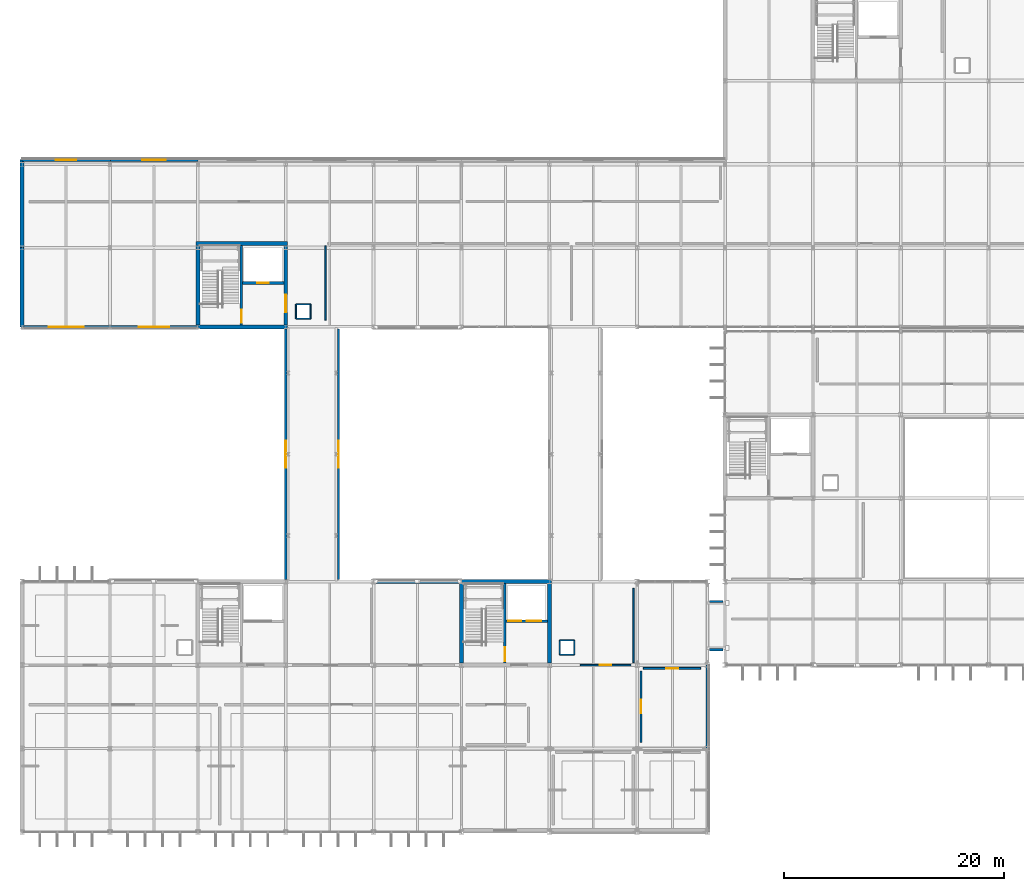
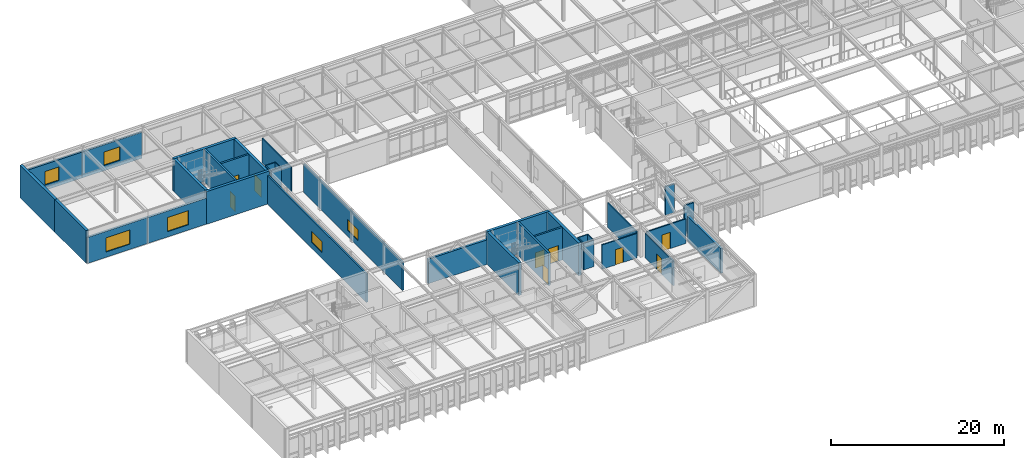
# One storey, part 81 of 104: 36 walls, 9 doors, 6 windows, 15 openings.
"""IFC4 building model written with IfcOpenShell, lengths in metres."""

from ifc_helpers import new_model, si_unit, direction, frame, frame_2d, origin, place, context, subcontext, project, spatial, rectangle, extrude, material, layer, layer_set, type_object, element, fill, save


model = new_model("IFC4")

# Units and contexts
model_context = context("Model", 3, precision=1e-05, world=origin(), true_north=direction((0.0, 1.0)))
body_context = subcontext(model_context, "Body", "Model", "MODEL_VIEW")
ifc_project = project(units=[si_unit("LENGTHUNIT", "METRE"), si_unit("AREAUNIT", "SQUARE_METRE"), si_unit("VOLUMEUNIT", "CUBIC_METRE"), si_unit("PLANEANGLEUNIT", "RADIAN"), si_unit("MASSUNIT", "GRAM", prefix="KILO")], contexts=[model_context])

# Site, building, storey
site_placement = place(None, origin())
site = spatial("IfcSite", under=ifc_project, at=site_placement, CompositionType="ELEMENT")
building_placement = place(site_placement, origin())
building = spatial("IfcBuilding", under=site, at=building_placement, Name="Zulena Civic Courthouse", CompositionType="ELEMENT")
storey_placement = place(building_placement, frame((0.0, 0.0, 15.60009765625)))
storey = spatial("IfcBuildingStorey", under=building, at=storey_placement, Name="L03", CompositionType="ELEMENT", Elevation=15.60009765625)

# Walls
ifc_material_1 = material(Name="Travertine-cream architectural precast concrete C40/50", Category="masonry")
ifc_layer_1 = layer(ifc_material_1, 0.205078125)
ifc_layer_set_1 = layer_set([ifc_layer_1], Name="Travertine-cream architectural precast concrete C40/50")
wall_type_1 = type_object("IfcWallType", Name="BridgeWall_GlazedScreen_205", PredefinedType="STANDARD", material=ifc_layer_set_1)
for number, where, z_axis, x_axis, name in (
    (1, (67.820068359375, 16.60009765625, 0.0), (0.0, 0.0, 1.0), (-1.0, 0.0, 0.0), "ewall:bridge:BR-24:L03:S"),
    (2, (66.580078125, 21.0, 0.0), (0.0, 0.0, 1.0), (1.0, 0.0, 0.0), "ewall:bridge:BR-24:L03:N"),
):
    element("IfcWall", number, at=place(storey_placement, frame(where, z_axis=z_axis, x_axis=x_axis)), inside=storey, type_object=wall_type_1, Name=name, PredefinedType="STANDARD", context=body_context, shape_type="SweptSolid", body=[
        extrude(rectangle(XDim=1.239990234375, YDim=0.205078125, at=frame_2d((0.6201171875, 0.0))), origin(), (0.0, 0.0, 1.0), 4.02001953125),
    ])

# Wall, opening, window
wall_1_placement = place(storey_placement, frame((28.0, 22.97998046875, 0.0), z_axis=(0.0, 0.0, 1.0), x_axis=(0.0, 1.0, 0.0)))
wall_1 = element("IfcWall", 3, at=wall_1_placement, inside=storey, type_object=wall_type_1, Name="ewall:bridge:BR-52J:L03:W", PredefinedType="STANDARD", context=body_context, shape_type="SweptSolid", body=[
    extrude(rectangle(XDim=22.840087890625, YDim=0.205078125, at=frame_2d((11.419921875, 0.0))), origin(), (0.0, 0.0, 1.0), 4.02001953125),
])
opening_1_placement = place(wall_1_placement, frame((10.195068359375, 0.0, 0.85009765625)))
opening_1 = element("IfcOpeningElement", 4, at=opening_1_placement, cuts=wall_1, Name="Opening WN27", PredefinedType="OPENING", context=body_context, shape_type="SweptSolid", body=[
    extrude(rectangle(XDim=2.449951171875, YDim=1.550048828125, at=frame_2d((1.22509765625, 0.77490234375))), frame((0.0, 0.112548828125, 0.0), z_axis=(0.0, -1.0, 0.0), x_axis=(1.0, 0.0, 0.0)), (0.0, 0.0, 1.0), 0.22509765625),
])
ifc_material_2 = material(Name="Double-silver low-E laminated solar-control glass", Category="glass")
window_type_1 = type_object("IfcWindowType", Name="Win_2450x1550", PartitioningType="DOUBLE_PANEL_VERTICAL", PredefinedType="WINDOW", material=ifc_material_2)
window_1_placement = place(opening_1_placement, origin())
window_1 = element("IfcWindow", 5, at=window_1_placement, inside=storey, type_object=window_type_1, Name="win:bridge:BR-52J:L03:W", OverallHeight=1.550048828125, OverallWidth=2.449951171875, PartitioningType="SINGLE_PANEL", PredefinedType="WINDOW", context=body_context, shape_type="SweptSolid", body=[
    extrude(rectangle(XDim=2.449951171875, YDim=1.550048828125, at=frame_2d((1.22509765625, 0.77490234375))), frame((0.0, 0.030029296875, 0.0), z_axis=(0.0, -1.0, 0.0), x_axis=(1.0, 0.0, 0.0)), (0.0, 0.0, 1.0), 0.06005859375),
])
fill(opening_1, window_1)

wall_2_placement = place(storey_placement, frame((32.800048828125, 45.820068359375, 0.0), z_axis=(0.0, 0.0, 1.0), x_axis=(0.0, -1.0, 0.0)))
wall_2 = element("IfcWall", 6, at=wall_2_placement, inside=storey, type_object=wall_type_1, Name="ewall:bridge:BR-52J:L03:E", PredefinedType="STANDARD", context=body_context, shape_type="SweptSolid", body=[
    extrude(rectangle(XDim=22.840087890625, YDim=0.205078125, at=frame_2d((11.419921875, 0.0))), origin(), (0.0, 0.0, 1.0), 4.02001953125),
])
opening_2_placement = place(wall_2_placement, frame((10.195068359375, 0.0, 0.85009765625)))
opening_2 = element("IfcOpeningElement", 7, at=opening_2_placement, cuts=wall_2, Name="Opening WN27", PredefinedType="OPENING", context=body_context, shape_type="SweptSolid", body=[
    extrude(rectangle(XDim=2.449951171875, YDim=1.550048828125, at=frame_2d((1.22509765625, 0.77490234375))), frame((0.0, 0.112548828125, 0.0), z_axis=(0.0, -1.0, 0.0), x_axis=(1.0, 0.0, 0.0)), (0.0, 0.0, 1.0), 0.22509765625),
])
window_2_placement = place(opening_2_placement, origin())
window_2 = element("IfcWindow", 8, at=window_2_placement, inside=storey, type_object=window_type_1, Name="win:bridge:BR-52J:L03:E", OverallHeight=1.550048828125, OverallWidth=2.449951171875, PartitioningType="SINGLE_PANEL", PredefinedType="WINDOW", context=body_context, shape_type="SweptSolid", body=[
    extrude(rectangle(XDim=2.449951171875, YDim=1.550048828125, at=frame_2d((1.22509765625, 0.77490234375))), frame((0.0, 0.030029296875, 0.0), z_axis=(0.0, -1.0, 0.0), x_axis=(1.0, 0.0, 0.0)), (0.0, 0.0, 1.0), 0.06005859375),
])
fill(opening_2, window_2)

# Wall, opening, door
ifc_material_3 = material(Name="Concrete C40/50", Category="concrete")
ifc_layer_2 = layer(ifc_material_3, 0.25)
ifc_layer_set_2 = layer_set([ifc_layer_2], Name="Concrete C40/50")
wall_type_2 = type_object("IfcWallType", Name="CoreShearWall_RC250", PredefinedType="SHEAR", material=ifc_layer_set_2)
wall_3_placement = place(storey_placement, frame((47.949951171875, 15.375, 0.0), z_axis=(0.0, 0.0, 1.0), x_axis=(0.0, 1.0, 0.0)))
wall_3 = element("IfcWall", 9, at=wall_3_placement, inside=storey, type_object=wall_type_2, Name="cwall:K2B:L03:DIV", PredefinedType="SHEAR", context=body_context, shape_type="SweptSolid", body=[
    extrude(rectangle(XDim=7.25, YDim=0.25, at=frame_2d((3.625, 0.0))), origin(), (0.0, 0.0, 1.0), 4.58984375),
])
opening_3_placement = place(wall_3_placement, frame((0.179931640625, 0.0, 0.0)))
opening_3 = element("IfcOpeningElement", 10, at=opening_3_placement, cuts=wall_3, Name="Opening ID06", PredefinedType="OPENING", context=body_context, shape_type="SweptSolid", body=[
    extrude(rectangle(XDim=1.25, YDim=2.199951171875, at=frame_2d((0.625, 1.10009765625))), frame((0.0, 0.135009765625, 0.0), z_axis=(0.0, -1.0, 0.0), x_axis=(1.0, 0.0, 0.0)), (0.0, 0.0, 1.0), 0.27001953125),
])
ifc_material_4 = material(Name="Fire-rated galvanised steel ASTM A653 Grade 50", Category="steel")
door_type_1 = type_object("IfcDoorType", Name="IntDoor_Stair_1250x2200", OperationType="NOTDEFINED", PredefinedType="DOOR", material=ifc_material_4)
door_1_placement = place(opening_3_placement, origin())
door_1 = element("IfcDoor", 11, at=door_1_placement, inside=storey, type_object=door_type_1, Name="door:stair:K2B:L03", OperationType="SINGLE_SWING_RIGHT", OverallHeight=2.199951171875, OverallWidth=1.25, PredefinedType="DOOR", context=body_context, shape_type="SweptSolid", body=[
    extrude(rectangle(XDim=1.25, YDim=2.199951171875, at=frame_2d((0.625, 1.10009765625))), frame((0.0, 0.02490234375, 0.0), z_axis=(0.0, -1.0, 0.0), x_axis=(1.0, 0.0, 0.0)), (0.0, 0.0, 1.0), 0.050048828125),
])
fill(opening_3, door_1)

# Wall, openings, doors
wall_4_placement = place(storey_placement, frame((48.074951171875, 19.199951171875, 0.0), z_axis=(0.0, 0.0, 1.0), x_axis=(1.0, 0.0, 0.0)))
wall_4 = element("IfcWall", 12, at=wall_4_placement, inside=storey, type_object=wall_type_2, Name="cwall:K2B:L03:SHF", PredefinedType="SHEAR", context=body_context, shape_type="SweptSolid", body=[
    extrude(rectangle(XDim=3.75, YDim=0.25, at=frame_2d((1.875, 0.0))), origin(), (0.0, 0.0, 1.0), 4.58984375),
])
opening_4_placement = place(wall_4_placement, frame((0.179931640625, 0.0, 0.0)))
opening_4 = element("IfcOpeningElement", 13, at=opening_4_placement, cuts=wall_4, Name="Opening LD01", PredefinedType="OPENING", context=body_context, shape_type="SweptSolid", body=[
    extrude(rectangle(XDim=1.199951171875, YDim=2.199951171875, at=frame_2d((0.60009765625, 1.10009765625))), frame((0.0, 0.135009765625, 0.0), z_axis=(0.0, -1.0, 0.0), x_axis=(1.0, 0.0, 0.0)), (0.0, 0.0, 1.0), 0.27001953125),
])
opening_5_placement = place(wall_4_placement, frame((1.85009765625, 0.0, 0.0)))
opening_5 = element("IfcOpeningElement", 14, at=opening_5_placement, cuts=wall_4, Name="Opening LD04", PredefinedType="OPENING", context=body_context, shape_type="SweptSolid", body=[
    extrude(rectangle(XDim=1.35009765625, YDim=2.199951171875, at=frame_2d((0.675048828125, 1.10009765625))), frame((0.0, 0.135009765625, 0.0), z_axis=(0.0, -1.0, 0.0), x_axis=(1.0, 0.0, 0.0)), (0.0, 0.0, 1.0), 0.27001953125),
])
door_type_2 = type_object("IfcDoorType", Name="LiftLandingDoor_FF_1200x2200", OperationType="SLIDING_TO_LEFT", PredefinedType="DOOR", material=ifc_material_4)
door_2_placement = place(opening_4_placement, origin())
door_2 = element("IfcDoor", 15, at=door_2_placement, inside=storey, type_object=door_type_2, Name="door:ld:FL-02:L03", OperationType="SLIDING_TO_LEFT", OverallHeight=2.199951171875, OverallWidth=1.199951171875, PredefinedType="DOOR", context=body_context, shape_type="SweptSolid", body=[
    extrude(rectangle(XDim=1.199951171875, YDim=2.199951171875, at=frame_2d((0.60009765625, 1.10009765625))), frame((0.0, 0.02490234375, 0.0), z_axis=(0.0, -1.0, 0.0), x_axis=(1.0, 0.0, 0.0)), (0.0, 0.0, 1.0), 0.050048828125),
])
fill(opening_4, door_2)
door_type_3 = type_object("IfcDoorType", Name="LiftLandingDoor_Goods_1350x2300", OperationType="DOUBLE_DOOR_SLIDING", PredefinedType="DOOR", material=ifc_material_4)
door_3_placement = place(opening_5_placement, origin())
door_3 = element("IfcDoor", 16, at=door_3_placement, inside=storey, type_object=door_type_3, Name="door:ld:CL-01:L03", OperationType="DOUBLE_DOOR_SLIDING", OverallHeight=2.199951171875, OverallWidth=1.35009765625, PredefinedType="DOOR", context=body_context, shape_type="SweptSolid", body=[
    extrude(rectangle(XDim=1.35009765625, YDim=2.199951171875, at=frame_2d((0.675048828125, 1.10009765625))), frame((0.0, 0.02490234375, 0.0), z_axis=(0.0, -1.0, 0.0), x_axis=(1.0, 0.0, 0.0)), (0.0, 0.0, 1.0), 0.050048828125),
])
fill(opening_5, door_3)

# Wall, opening, door
wall_5_placement = place(storey_placement, frame((23.949951171875, 46.175048828125, 0.0), z_axis=(0.0, 0.0, 1.0), x_axis=(0.0, 1.0, 0.0)))
wall_5 = element("IfcWall", 17, at=wall_5_placement, inside=storey, type_object=wall_type_2, Name="cwall:K5A:L03:DIV", PredefinedType="SHEAR", context=body_context, shape_type="SweptSolid", body=[
    extrude(rectangle(XDim=7.25, YDim=0.25, at=frame_2d((3.625, 0.0))), origin(), (0.0, 0.0, 1.0), 4.58984375),
])
opening_6_placement = place(wall_5_placement, frame((0.179931640625, 0.0, 0.0)))
opening_6 = element("IfcOpeningElement", 18, at=opening_6_placement, cuts=wall_5, Name="Opening ID07", PredefinedType="OPENING", context=body_context, shape_type="SweptSolid", body=[
    extrude(rectangle(XDim=1.199951171875, YDim=2.199951171875, at=frame_2d((0.60009765625, 1.10009765625))), frame((0.0, 0.135009765625, 0.0), z_axis=(0.0, -1.0, 0.0), x_axis=(1.0, 0.0, 0.0)), (0.0, 0.0, 1.0), 0.27001953125),
])
door_type_4 = type_object("IfcDoorType", Name="IntDoor_Stair_1200x2200", OperationType="NOTDEFINED", PredefinedType="DOOR", material=ifc_material_4)
door_4_placement = place(opening_6_placement, origin())
door_4 = element("IfcDoor", 19, at=door_4_placement, inside=storey, type_object=door_type_4, Name="door:stair:K5A:L03", OperationType="SINGLE_SWING_LEFT", OverallHeight=2.199951171875, OverallWidth=1.199951171875, PredefinedType="DOOR", context=body_context, shape_type="SweptSolid", body=[
    extrude(rectangle(XDim=1.199951171875, YDim=2.199951171875, at=frame_2d((0.60009765625, 1.10009765625))), frame((0.0, 0.02490234375, 0.0), z_axis=(0.0, -1.0, 0.0), x_axis=(1.0, 0.0, 0.0)), (0.0, 0.0, 1.0), 0.050048828125),
])
fill(opening_6, door_4)

wall_6_placement = place(storey_placement, frame((24.074951171875, 50.0, 0.0), z_axis=(0.0, 0.0, 1.0), x_axis=(1.0, 0.0, 0.0)))
wall_6 = element("IfcWall", 20, at=wall_6_placement, inside=storey, type_object=wall_type_2, Name="cwall:K5A:L03:SHF", PredefinedType="SHEAR", context=body_context, shape_type="SweptSolid", body=[
    extrude(rectangle(XDim=3.75, YDim=0.25, at=frame_2d((1.875, 0.0))), origin(), (0.0, 0.0, 1.0), 4.58984375),
])
opening_7_placement = place(wall_6_placement, frame((1.344970703125, 0.0, 0.0)))
opening_7 = element("IfcOpeningElement", 21, at=opening_7_placement, cuts=wall_6, Name="Opening LD03", PredefinedType="OPENING", context=body_context, shape_type="SweptSolid", body=[
    extrude(rectangle(XDim=1.050048828125, YDim=2.199951171875, at=frame_2d((0.52490234375, 1.10009765625))), frame((0.0, 0.135009765625, 0.0), z_axis=(0.0, -1.0, 0.0), x_axis=(1.0, 0.0, 0.0)), (0.0, 0.0, 1.0), 0.27001953125),
])
door_type_5 = type_object("IfcDoorType", Name="LiftLandingDoor_Jud_1050x2200", OperationType="SLIDING_TO_RIGHT", PredefinedType="DOOR", material=ifc_material_4)
door_5_placement = place(opening_7_placement, origin())
door_5 = element("IfcDoor", 22, at=door_5_placement, inside=storey, type_object=door_type_5, Name="door:ld:JL-02:L03", OperationType="SLIDING_TO_RIGHT", OverallHeight=2.199951171875, OverallWidth=1.050048828125, PredefinedType="DOOR", context=body_context, shape_type="SweptSolid", body=[
    extrude(rectangle(XDim=1.050048828125, YDim=2.199951171875, at=frame_2d((0.52490234375, 1.10009765625))), frame((0.0, 0.02490234375, 0.0), z_axis=(0.0, -1.0, 0.0), x_axis=(1.0, 0.0, 0.0)), (0.0, 0.0, 1.0), 0.050048828125),
])
fill(opening_7, door_5)

# Walls
ifc_layer_3 = layer(ifc_material_3, 0.35009765625)
ifc_layer_set_3 = layer_set([ifc_layer_3], Name="Concrete C40/50")
wall_type_3 = type_object("IfcWallType", Name="CoreShearWall_RC350", PredefinedType="SHEAR", material=ifc_layer_set_3)
wall_7_placement = place(storey_placement, frame((43.824951171875, 22.800048828125, 0.0), z_axis=(0.0, 0.0, 1.0), x_axis=(1.0, 0.0, 0.0)))
element("IfcWall", 23, at=wall_7_placement, inside=storey, type_object=wall_type_3, Name="cwall:K2B:L03:N", PredefinedType="SHEAR", context=body_context, shape_type="SweptSolid", body=[
    extrude(rectangle(XDim=8.35009765625, YDim=0.35009765625, at=frame_2d((4.175048828125, 0.0))), origin(), (0.0, 0.0, 1.0), 4.58984375),
])
for number, where, z_axis, x_axis, name in (
    (24, (44.0, 15.375, 0.0), (0.0, 0.0, 1.0), (0.0, 1.0, 0.0), "cwall:K2B:L03:W"),
    (25, (52.0, 15.375, 0.0), (0.0, 0.0, 1.0), (0.0, 1.0, 0.0), "cwall:K2B:L03:E"),
):
    element("IfcWall", number, at=place(storey_placement, frame(where, z_axis=z_axis, x_axis=x_axis)), inside=storey, type_object=wall_type_3, Name=name, PredefinedType="SHEAR", context=body_context, shape_type="SweptSolid", body=[
        extrude(rectangle(XDim=7.25, YDim=0.35009765625, at=frame_2d((3.625, 0.0))), origin(), (0.0, 0.0, 1.0), 4.58984375),
    ])
for number, where, z_axis, x_axis, name in (
    (26, (19.824951171875, 46.0, 0.0), (0.0, 0.0, 1.0), (1.0, 0.0, 0.0), "cwall:K5A:L03:S"),
    (27, (19.824951171875, 53.60009765625, 0.0), (0.0, 0.0, 1.0), (1.0, 0.0, 0.0), "cwall:K5A:L03:N"),
):
    element("IfcWall", number, at=place(storey_placement, frame(where, z_axis=z_axis, x_axis=x_axis)), inside=storey, type_object=wall_type_3, Name=name, PredefinedType="SHEAR", context=body_context, shape_type="SweptSolid", body=[
        extrude(rectangle(XDim=8.35009765625, YDim=0.35009765625, at=frame_2d((4.175048828125, 0.0))), origin(), (0.0, 0.0, 1.0), 4.58984375),
    ])
wall_8_placement = place(storey_placement, frame((20.0, 46.175048828125, 0.0), z_axis=(0.0, 0.0, 1.0), x_axis=(0.0, 1.0, 0.0)))
element("IfcWall", 28, at=wall_8_placement, inside=storey, type_object=wall_type_3, Name="cwall:K5A:L03:W", PredefinedType="SHEAR", context=body_context, shape_type="SweptSolid", body=[
    extrude(rectangle(XDim=7.25, YDim=0.35009765625, at=frame_2d((3.625, 0.0))), origin(), (0.0, 0.0, 1.0), 4.58984375),
])

# Wall, opening, door
wall_9_placement = place(storey_placement, frame((28.0, 46.175048828125, 0.0), z_axis=(0.0, 0.0, 1.0), x_axis=(0.0, 1.0, 0.0)))
wall_9 = element("IfcWall", 29, at=wall_9_placement, inside=storey, type_object=wall_type_3, Name="cwall:K5A:L03:E", PredefinedType="SHEAR", context=body_context, shape_type="SweptSolid", body=[
    extrude(rectangle(XDim=7.25, YDim=0.35009765625, at=frame_2d((3.625, 0.0))), origin(), (0.0, 0.0, 1.0), 4.58984375),
])
opening_8_placement = place(wall_9_placement, frame((1.14990234375, 0.0, 0.0)))
opening_8 = element("IfcOpeningElement", 30, at=opening_8_placement, cuts=wall_9, Name="Opening ID04", PredefinedType="OPENING", context=body_context, shape_type="SweptSolid", body=[
    extrude(rectangle(XDim=1.60009765625, YDim=2.35009765625, at=frame_2d((0.800048828125, 1.175048828125))), frame((0.0, 0.18505859375, 0.0), z_axis=(0.0, -1.0, 0.0), x_axis=(1.0, 0.0, 0.0)), (0.0, 0.0, 1.0), 0.3701171875),
])
ifc_material_5 = material(Name="Solid-core acoustic hardwood timber", Category="wood")
door_type_6 = type_object("IfcDoorType", Name="IntDoor_CourtPublic_1600x2350", OperationType="DOUBLE_DOOR_SINGLE_SWING", PredefinedType="DOOR", material=ifc_material_5)
door_6_placement = place(opening_8_placement, origin())
door_6 = element("IfcDoor", 31, at=door_6_placement, inside=storey, type_object=door_type_6, Name="door:corelob:K5A:L03", OperationType="DOUBLE_DOOR_SINGLE_SWING", OverallHeight=2.35009765625, OverallWidth=1.60009765625, PredefinedType="DOOR", context=body_context, shape_type="SweptSolid", body=[
    extrude(rectangle(XDim=1.60009765625, YDim=2.35009765625, at=frame_2d((0.800048828125, 1.175048828125))), frame((0.0, 0.02490234375, 0.0), z_axis=(0.0, -1.0, 0.0), x_axis=(1.0, 0.0, 0.0)), (0.0, 0.0, 1.0), 0.050048828125),
])
fill(opening_8, door_6)

# Wall, opening, window
ifc_material_6 = material(Name="Buff architectural precast concrete C40/50", Category="concrete")
ifc_layer_4 = layer(ifc_material_6, 0.264892578125)
ifc_layer_set_4 = layer_set([ifc_layer_4], Name="Buff architectural precast concrete C40/50")
wall_type_4 = type_object("IfcWallType", Name="ExtWall_BuffPrecast_265", PredefinedType="STANDARD", material=ifc_layer_set_4)
wall_10_placement = place(storey_placement, frame((3.97998046875, 61.199951171875, 0.0), z_axis=(0.0, 0.0, 1.0), x_axis=(1.0, 0.0, 0.0)))
wall_10 = element("IfcWall", 32, at=wall_10_placement, inside=storey, type_object=wall_type_4, Name="ewall:V5:L03:1:0", PredefinedType="STANDARD", context=body_context, shape_type="SweptSolid", body=[
    extrude(rectangle(XDim=8.0400390625, YDim=0.264892578125, at=frame_2d((4.02001953125, 0.0))), origin(), (0.0, 0.0, 1.0), 3.659912109375),
])
opening_9_placement = place(wall_10_placement, frame((3.094970703125, 0.0, 0.75)))
opening_9 = element("IfcOpeningElement", 33, at=opening_9_placement, cuts=wall_10, Name="Opening WN37", PredefinedType="OPENING", context=body_context, shape_type="SweptSolid", body=[
    extrude(rectangle(XDim=1.85009765625, YDim=1.89990234375, at=frame_2d((0.925048828125, 0.949951171875))), frame((0.0, 0.142333984375, 0.0), z_axis=(0.0, -1.0, 0.0), x_axis=(1.0, 0.0, 0.0)), (0.0, 0.0, 1.0), 0.284912109375),
])
window_type_2 = type_object("IfcWindowType", Name="Win_1850x1900", PartitioningType="DOUBLE_PANEL_VERTICAL", PredefinedType="WINDOW", material=ifc_material_2)
window_3_placement = place(opening_9_placement, origin())
window_3 = element("IfcWindow", 34, at=window_3_placement, inside=storey, type_object=window_type_2, Name="win:V5:L03:1:0", OverallHeight=1.89990234375, OverallWidth=1.85009765625, PartitioningType="SINGLE_PANEL", PredefinedType="WINDOW", context=body_context, shape_type="SweptSolid", body=[
    extrude(rectangle(XDim=1.85009765625, YDim=1.89990234375, at=frame_2d((0.925048828125, 0.949951171875))), frame((0.0, 0.030029296875, 0.0), z_axis=(0.0, -1.0, 0.0), x_axis=(1.0, 0.0, 0.0)), (0.0, 0.0, 1.0), 0.06005859375),
])
fill(opening_9, window_3)

wall_11_placement = place(storey_placement, frame((11.97998046875, 61.199951171875, 0.0), z_axis=(0.0, 0.0, 1.0), x_axis=(1.0, 0.0, 0.0)))
wall_11 = element("IfcWall", 35, at=wall_11_placement, inside=storey, type_object=wall_type_4, Name="ewall:V5:L03:1:1", PredefinedType="STANDARD", context=body_context, shape_type="SweptSolid", body=[
    extrude(rectangle(XDim=8.0400390625, YDim=0.264892578125, at=frame_2d((4.02001953125, 0.0))), origin(), (0.0, 0.0, 1.0), 3.659912109375),
])
opening_10_placement = place(wall_11_placement, frame((2.945068359375, 0.0, 0.75)))
opening_10 = element("IfcOpeningElement", 36, at=opening_10_placement, cuts=wall_11, Name="Opening WN38", PredefinedType="OPENING", context=body_context, shape_type="SweptSolid", body=[
    extrude(rectangle(XDim=2.14990234375, YDim=1.89990234375, at=frame_2d((1.074951171875, 0.949951171875))), frame((0.0, 0.142333984375, 0.0), z_axis=(0.0, -1.0, 0.0), x_axis=(1.0, 0.0, 0.0)), (0.0, 0.0, 1.0), 0.284912109375),
])
window_type_3 = type_object("IfcWindowType", Name="Win_2150x1900", PartitioningType="DOUBLE_PANEL_VERTICAL", PredefinedType="WINDOW", material=ifc_material_2)
window_4_placement = place(opening_10_placement, origin())
window_4 = element("IfcWindow", 37, at=window_4_placement, inside=storey, type_object=window_type_3, Name="win:V5:L03:1:1", OverallHeight=1.89990234375, OverallWidth=2.14990234375, PartitioningType="SINGLE_PANEL", PredefinedType="WINDOW", context=body_context, shape_type="SweptSolid", body=[
    extrude(rectangle(XDim=2.14990234375, YDim=1.89990234375, at=frame_2d((1.074951171875, 0.949951171875))), frame((0.0, 0.030029296875, 0.0), z_axis=(0.0, -1.0, 0.0), x_axis=(1.0, 0.0, 0.0)), (0.0, 0.0, 1.0), 0.06005859375),
])
fill(opening_10, window_4)

wall_12_placement = place(storey_placement, frame((20.02001953125, 46.0, 0.0), z_axis=(0.0, 0.0, 1.0), x_axis=(-1.0, 0.0, 0.0)))
wall_12 = element("IfcWall", 38, at=wall_12_placement, inside=storey, type_object=wall_type_4, Name="ewall:V5:L03:5:11", PredefinedType="STANDARD", context=body_context, shape_type="SweptSolid", body=[
    extrude(rectangle(XDim=8.0400390625, YDim=0.264892578125, at=frame_2d((4.02001953125, 0.0))), origin(), (0.0, 0.0, 1.0), 3.659912109375),
])
opening_11_placement = place(wall_12_placement, frame((2.6201171875, 0.0, 0.75)))
opening_11 = element("IfcOpeningElement", 39, at=opening_11_placement, cuts=wall_12, Name="Opening WN07", PredefinedType="OPENING", context=body_context, shape_type="SweptSolid", body=[
    extrude(rectangle(XDim=2.800048828125, YDim=2.0, at=frame_2d((1.39990234375, 1.0))), frame((0.0, 0.142333984375, 0.0), z_axis=(0.0, -1.0, 0.0), x_axis=(1.0, 0.0, 0.0)), (0.0, 0.0, 1.0), 0.284912109375),
])
window_type_4 = type_object("IfcWindowType", Name="Win_2800x2000", PartitioningType="DOUBLE_PANEL_VERTICAL", PredefinedType="WINDOW", material=ifc_material_2)
window_5_placement = place(opening_11_placement, origin())
window_5 = element("IfcWindow", 40, at=window_5_placement, inside=storey, type_object=window_type_4, Name="win:V5:L03:5:11", OverallHeight=2.0, OverallWidth=2.800048828125, PartitioningType="SINGLE_PANEL", PredefinedType="WINDOW", context=body_context, shape_type="SweptSolid", body=[
    extrude(rectangle(XDim=2.800048828125, YDim=2.0, at=frame_2d((1.39990234375, 1.0))), frame((0.0, 0.030029296875, 0.0), z_axis=(0.0, -1.0, 0.0), x_axis=(1.0, 0.0, 0.0)), (0.0, 0.0, 1.0), 0.06005859375),
])
fill(opening_11, window_5)

wall_13_placement = place(storey_placement, frame((12.02001953125, 46.0, 0.0), z_axis=(0.0, 0.0, 1.0), x_axis=(-1.0, 0.0, 0.0)))
wall_13 = element("IfcWall", 41, at=wall_13_placement, inside=storey, type_object=wall_type_4, Name="ewall:V5:L03:5:12", PredefinedType="STANDARD", context=body_context, shape_type="SweptSolid", body=[
    extrude(rectangle(XDim=8.0400390625, YDim=0.264892578125, at=frame_2d((4.02001953125, 0.0))), origin(), (0.0, 0.0, 1.0), 3.659912109375),
])
opening_12_placement = place(wall_13_placement, frame((2.419921875, 0.0, 0.75)))
opening_12 = element("IfcOpeningElement", 42, at=opening_12_placement, cuts=wall_13, Name="Opening WN08", PredefinedType="OPENING", context=body_context, shape_type="SweptSolid", body=[
    extrude(rectangle(XDim=3.199951171875, YDim=2.0, at=frame_2d((1.60009765625, 1.0))), frame((0.0, 0.142333984375, 0.0), z_axis=(0.0, -1.0, 0.0), x_axis=(1.0, 0.0, 0.0)), (0.0, 0.0, 1.0), 0.284912109375),
])
window_type_5 = type_object("IfcWindowType", Name="Win_3200x2000", PartitioningType="DOUBLE_PANEL_VERTICAL", PredefinedType="WINDOW", material=ifc_material_2)
window_6_placement = place(opening_12_placement, origin())
window_6 = element("IfcWindow", 43, at=window_6_placement, inside=storey, type_object=window_type_5, Name="win:V5:L03:5:12", OverallHeight=2.0, OverallWidth=3.199951171875, PartitioningType="SINGLE_PANEL", PredefinedType="WINDOW", context=body_context, shape_type="SweptSolid", body=[
    extrude(rectangle(XDim=3.199951171875, YDim=2.0, at=frame_2d((1.60009765625, 1.0))), frame((0.0, 0.030029296875, 0.0), z_axis=(0.0, -1.0, 0.0), x_axis=(1.0, 0.0, 0.0)), (0.0, 0.0, 1.0), 0.06005859375),
])
fill(opening_12, window_6)

# Walls
ifc_layer_5 = layer(ifc_material_3, 0.360107421875)
ifc_layer_set_5 = layer_set([ifc_layer_5], Name="Concrete C40/50")
wall_type_5 = type_object("IfcWallType", Name="ExtWall_PartyWall_360", PredefinedType="STANDARD", material=ifc_layer_set_5)
wall_14_placement = place(storey_placement, frame((4.0, 45.97998046875, 0.0), z_axis=(0.0, 0.0, 1.0), x_axis=(0.0, 1.0, 0.0)))
element("IfcWall", 44, at=wall_14_placement, inside=storey, type_object=wall_type_5, Name="ewall:V5:L03:0:0", PredefinedType="STANDARD", context=body_context, shape_type="SweptSolid", body=[
    extrude(rectangle(XDim=7.239990234375, YDim=0.360107421875, at=frame_2d((3.6201171875, 0.0))), origin(), (0.0, 0.0, 1.0), 4.599853515625),
])
wall_15_placement = place(storey_placement, frame((4.0, 53.179931640625, 0.0), z_axis=(0.0, 0.0, 1.0), x_axis=(0.0, 1.0, 0.0)))
element("IfcWall", 45, at=wall_15_placement, inside=storey, type_object=wall_type_5, Name="ewall:V5:L03:0:1", PredefinedType="STANDARD", context=body_context, shape_type="SweptSolid", body=[
    extrude(rectangle(XDim=8.0400390625, YDim=0.360107421875, at=frame_2d((4.02001953125, 0.0))), origin(), (0.0, 0.0, 1.0), 4.599853515625),
])
ifc_material_7 = material(Name="White architectural precast concrete C40/50", Category="concrete")
ifc_layer_6 = layer(ifc_material_7, 0.300048828125)
ifc_layer_set_6 = layer_set([ifc_layer_6], Name="White architectural precast concrete C40/50")
wall_type_6 = type_object("IfcWallType", Name="ExtWall_WhitePrecast_300", PredefinedType="STANDARD", material=ifc_layer_set_6)
wall_16_placement = place(storey_placement, frame((35.97998046875, 22.800048828125, 0.0), z_axis=(0.0, 0.0, 1.0), x_axis=(1.0, 0.0, 0.0)))
element("IfcWall", 46, at=wall_16_placement, inside=storey, type_object=wall_type_6, Name="ewall:V2:L03:1:4", PredefinedType="STANDARD", context=body_context, shape_type="SweptSolid", body=[
    extrude(rectangle(XDim=8.0400390625, YDim=0.300048828125, at=frame_2d((4.02001953125, 0.0))), origin(), (0.0, 0.0, 1.0), 3.4599609375),
])
wall_17_placement = place(storey_placement, frame((66.39990234375, 15.219970703125, 0.0), z_axis=(0.0, 0.0, 1.0), x_axis=(0.0, -1.0, 0.0)))
element("IfcWall", 47, at=wall_17_placement, inside=storey, type_object=wall_type_6, Name="ewall:V2:L03:2:1", PredefinedType="STANDARD", context=body_context, shape_type="SweptSolid", body=[
    extrude(rectangle(XDim=7.639892578125, YDim=0.300048828125, at=frame_2d((3.81982421875, 0.0))), origin(), (0.0, 0.0, 1.0), 3.4599609375),
])

# Wall, opening, door
ifc_material_8 = material(Name="Acoustic fire-rated gypsum board assembly", Category="masonry")
ifc_layer_7 = layer(ifc_material_8, 0.14599609375)
ifc_layer_set_7 = layer_set([ifc_layer_7], Name="Acoustic fire-rated gypsum board assembly")
wall_type_7 = type_object("IfcWallType", Name="PartWall_Chambers_146", PredefinedType="PARTITIONING", material=ifc_layer_set_7)
wall_18_placement = place(storey_placement, frame((54.820068359375, 15.199951171875, 0.0), z_axis=(0.0, 0.0, 1.0), x_axis=(1.0, 0.0, 0.0)))
wall_18 = element("IfcWall", 48, at=wall_18_placement, inside=storey, type_object=wall_type_7, Name="pwall:L03:320:0", PredefinedType="PARTITIONING", context=body_context, shape_type="SweptSolid", body=[
    extrude(rectangle(XDim=4.60986328125, YDim=0.14599609375, at=frame_2d((2.304931640625, 0.0))), origin(), (0.0, 0.0, 1.0), 3.449951171875),
])
opening_13_placement = place(wall_18_placement, frame((1.780029296875, 0.0, 0.0)))
opening_13 = element("IfcOpeningElement", 49, at=opening_13_placement, cuts=wall_18, Name="Opening ID10", PredefinedType="OPENING", context=body_context, shape_type="SweptSolid", body=[
    extrude(rectangle(XDim=1.050048828125, YDim=2.14990234375, at=frame_2d((0.52490234375, 1.074951171875))), frame((0.0, 0.0830078125, 0.0), z_axis=(0.0, -1.0, 0.0), x_axis=(1.0, 0.0, 0.0)), (0.0, 0.0, 1.0), 0.166015625),
])
door_type_7 = type_object("IfcDoorType", Name="IntDoor_Holding_1050x2150", OperationType="NOTDEFINED", PredefinedType="DOOR", material=ifc_material_4)
door_7_placement = place(opening_13_placement, origin())
door_7 = element("IfcDoor", 50, at=door_7_placement, inside=storey, type_object=door_type_7, Name="door:rm:L03:320", OperationType="SINGLE_SWING_RIGHT", OverallHeight=2.14990234375, OverallWidth=1.050048828125, PredefinedType="DOOR", context=body_context, shape_type="SweptSolid", body=[
    extrude(rectangle(XDim=1.050048828125, YDim=2.14990234375, at=frame_2d((0.52490234375, 1.074951171875))), frame((0.0, 0.02490234375, 0.0), z_axis=(0.0, -1.0, 0.0), x_axis=(1.0, 0.0, 0.0)), (0.0, 0.0, 1.0), 0.050048828125),
])
fill(opening_13, door_7)

# Walls
wall_19_placement = place(storey_placement, frame((59.64990234375, 15.419921875, 0.0), z_axis=(0.0, 0.0, 1.0), x_axis=(0.0, 1.0, 0.0)))
element("IfcWall", 51, at=wall_19_placement, inside=storey, type_object=wall_type_7, Name="pwall:L03:320:1", PredefinedType="PARTITIONING", context=body_context, shape_type="SweptSolid", body=[
    extrude(rectangle(XDim=6.760009765625, YDim=0.14599609375, at=frame_2d((3.3798828125, 0.0))), origin(), (0.0, 0.0, 1.0), 3.449951171875),
])
wall_20_placement = place(storey_placement, frame((31.60009765625, 46.6201171875, 0.0), z_axis=(0.0, 0.0, 1.0), x_axis=(0.0, 1.0, 0.0)))
element("IfcWall", 52, at=wall_20_placement, inside=storey, type_object=wall_type_7, Name="pwall:L03:397:1", PredefinedType="PARTITIONING", context=body_context, shape_type="SweptSolid", body=[
    extrude(rectangle(XDim=6.759765625, YDim=0.14599609375, at=frame_2d((3.3798828125, 0.0))), origin(), (0.0, 0.0, 1.0), 3.449951171875),
])

# Wall, opening, door
ifc_layer_8 = layer(ifc_material_8, 0.177978515625)
ifc_layer_set_8 = layer_set([ifc_layer_8], Name="Acoustic fire-rated gypsum board assembly")
wall_type_8 = type_object("IfcWallType", Name="PartWall_Corridor_178", PredefinedType="PARTITIONING", material=ifc_layer_set_8)
wall_21_placement = place(storey_placement, frame((60.35009765625, 8.169921875, 0.0), z_axis=(0.0, 0.0, 1.0), x_axis=(0.0, 1.0, 0.0)))
wall_21 = element("IfcWall", 53, at=wall_21_placement, inside=storey, type_object=wall_type_8, Name="pwall:L03:316:0", PredefinedType="PARTITIONING", context=body_context, shape_type="SweptSolid", body=[
    extrude(rectangle(XDim=6.510009765625, YDim=0.177978515625, at=frame_2d((3.2548828125, 0.0))), origin(), (0.0, 0.0, 1.0), 3.449951171875),
])
opening_14_placement = place(wall_21_placement, frame((2.6298828125, 0.0, 0.0)))
opening_14 = element("IfcOpeningElement", 54, at=opening_14_placement, cuts=wall_21, Name="Opening ID06", PredefinedType="OPENING", context=body_context, shape_type="SweptSolid", body=[
    extrude(rectangle(XDim=1.25, YDim=2.199951171875, at=frame_2d((0.625, 1.10009765625))), frame((0.0, 0.098876953125, 0.0), z_axis=(0.0, -1.0, 0.0), x_axis=(1.0, 0.0, 0.0)), (0.0, 0.0, 1.0), 0.197998046875),
])
door_8_placement = place(opening_14_placement, origin())
door_8 = element("IfcDoor", 55, at=door_8_placement, inside=storey, type_object=door_type_1, Name="door:rm:L03:316", OperationType="SINGLE_SWING_RIGHT", OverallHeight=2.199951171875, OverallWidth=1.25, PredefinedType="DOOR", context=body_context, shape_type="SweptSolid", body=[
    extrude(rectangle(XDim=1.25, YDim=2.199951171875, at=frame_2d((0.625, 1.10009765625))), frame((0.0, 0.02490234375, 0.0), z_axis=(0.0, -1.0, 0.0), x_axis=(1.0, 0.0, 0.0)), (0.0, 0.0, 1.0), 0.050048828125),
])
fill(opening_14, door_8)

wall_22_placement = place(storey_placement, frame((60.570068359375, 14.89990234375, 0.0), z_axis=(0.0, 0.0, 1.0), x_axis=(1.0, 0.0, 0.0)))
wall_22 = element("IfcWall", 56, at=wall_22_placement, inside=storey, type_object=wall_type_8, Name="pwall:L03:316:1", PredefinedType="PARTITIONING", context=body_context, shape_type="SweptSolid", body=[
    extrude(rectangle(XDim=5.2099609375, YDim=0.177978515625, at=frame_2d((2.60498046875, 0.0))), origin(), (0.0, 0.0, 1.0), 3.449951171875),
])
opening_15_placement = place(wall_22_placement, frame((2.054931640625, 0.0, 0.0)))
opening_15 = element("IfcOpeningElement", 57, at=opening_15_placement, cuts=wall_22, Name="Opening ID11", PredefinedType="OPENING", context=body_context, shape_type="SweptSolid", body=[
    extrude(rectangle(XDim=1.10009765625, YDim=2.300048828125, at=frame_2d((0.550048828125, 1.14990234375))), frame((0.0, 0.098876953125, 0.0), z_axis=(0.0, -1.0, 0.0), x_axis=(1.0, 0.0, 0.0)), (0.0, 0.0, 1.0), 0.197998046875),
])
door_type_8 = type_object("IfcDoorType", Name="IntDoor_Jury_1100x2300", OperationType="NOTDEFINED", PredefinedType="DOOR", material=ifc_material_5)
door_9_placement = place(opening_15_placement, origin())
door_9 = element("IfcDoor", 58, at=door_9_placement, inside=storey, type_object=door_type_8, Name="door:rm:L03:321", OperationType="SINGLE_SWING_LEFT", OverallHeight=2.300048828125, OverallWidth=1.10009765625, PredefinedType="DOOR", context=body_context, shape_type="SweptSolid", body=[
    extrude(rectangle(XDim=1.10009765625, YDim=2.300048828125, at=frame_2d((0.550048828125, 1.14990234375))), frame((0.0, 0.02490234375, 0.0), z_axis=(0.0, -1.0, 0.0), x_axis=(1.0, 0.0, 0.0)), (0.0, 0.0, 1.0), 0.050048828125),
])
fill(opening_15, door_9)

# Walls
ifc_material_9 = material(Name="Insulated blockwork masonry ASTM C90", Category="masonry")
ifc_layer_9 = layer(ifc_material_9, 0.114990234375)
ifc_layer_set_9 = layer_set([ifc_layer_9], Name="Insulated blockwork masonry ASTM C90")
wall_type_9 = type_object("IfcWallType", Name="PartWall_Riser_115", PredefinedType="PARTITIONING", material=ifc_layer_set_9)
for number, where, z_axis, x_axis, name in (
    (59, (52.93994140625, 16.139892578125, 0.0), (0.0, 0.0, 1.0), (1.0, 0.0, 0.0), "riser:RS-V2E:L03:0"),
    (60, (54.260009765625, 16.139892578125, 0.0), (0.0, 0.0, 1.0), (0.0, 1.0, 0.0), "riser:RS-V2E:L03:1"),
    (61, (54.260009765625, 17.4599609375, 0.0), (0.0, 0.0, 1.0), (-1.0, 0.0, 0.0), "riser:RS-V2E:L03:2"),
    (62, (52.93994140625, 17.4599609375, 0.0), (0.0, 0.0, 1.0), (0.0, -1.0, 0.0), "riser:RS-V2E:L03:3"),
    (63, (28.93994140625, 46.739990234375, 0.0), (0.0, 0.0, 1.0), (1.0, 0.0, 0.0), "riser:RS-V5W:L03:0"),
    (64, (30.260009765625, 46.739990234375, 0.0), (0.0, 0.0, 1.0), (0.0, 1.0, 0.0), "riser:RS-V5W:L03:1"),
    (65, (30.260009765625, 48.06005859375, 0.0), (0.0, 0.0, 1.0), (-1.0, 0.0, 0.0), "riser:RS-V5W:L03:2"),
    (66, (28.93994140625, 48.06005859375, 0.0), (0.0, 0.0, 1.0), (0.0, -1.0, 0.0), "riser:RS-V5W:L03:3"),
):
    element("IfcWall", number, at=place(storey_placement, frame(where, z_axis=z_axis, x_axis=x_axis)), inside=storey, type_object=wall_type_9, Name=name, PredefinedType="PARTITIONING", context=body_context, shape_type="SweptSolid", body=[
        extrude(rectangle(XDim=1.320068359375, YDim=0.114990234375, at=frame_2d((0.66015625, 0.0))), origin(), (0.0, 0.0, 1.0), 3.75),
    ])

save(model, "model.ifc")
